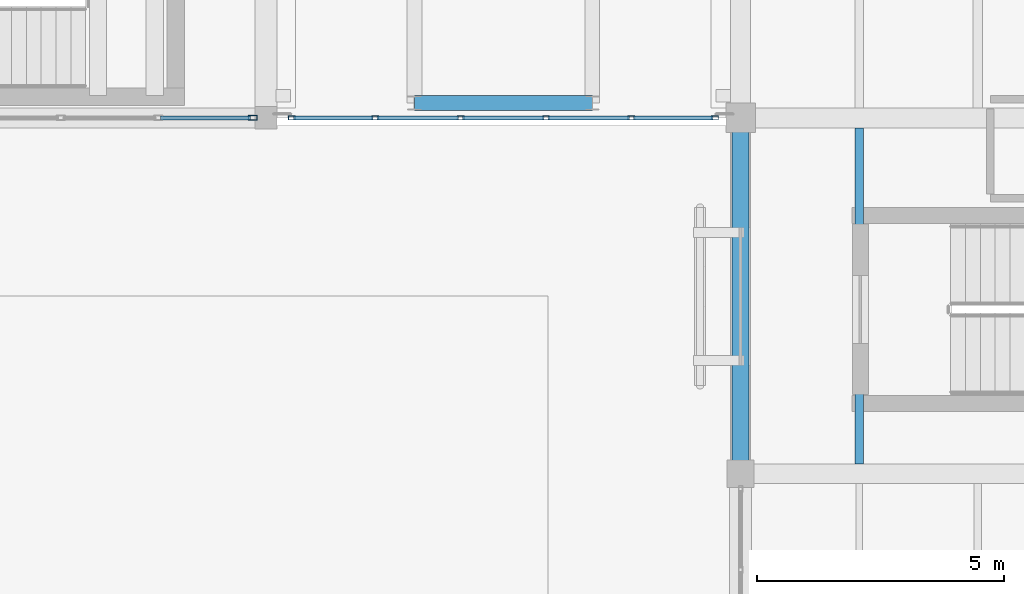
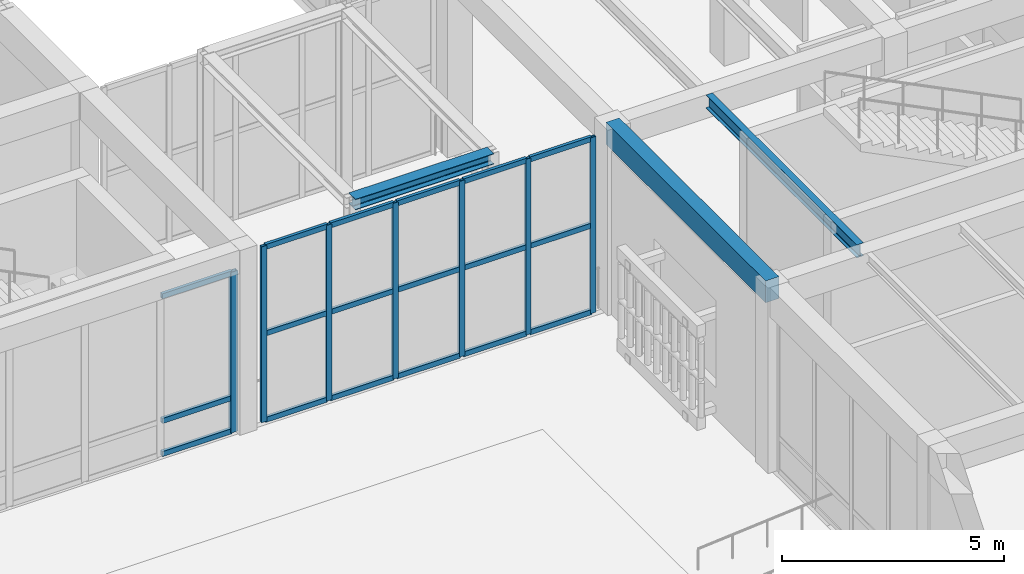
# One storey, part 76 of 169: 25 members, 3 beams, 2 elements without a shape of their own.
"""IFC4 building model written with IfcOpenShell, lengths in metres."""

from ifc_helpers import new_model, si_unit, direction, frame, origin, origin_2d, place, context, subcontext, project, spatial, rectangle, hollow_rectangle, i_section, extrude, material, layer, layer_set, material_profile, profile_set, type_object, element, aggregate, save


model = new_model("IFC4")

# Units and contexts
model_context = context("Model", 3, precision=1e-05, world=origin(), true_north=direction((0.0, 1.0)))
body_context = subcontext(model_context, "Body", "Model", "MODEL_VIEW")
ifc_project = project(units=[si_unit("LENGTHUNIT", "METRE"), si_unit("AREAUNIT", "SQUARE_METRE"), si_unit("VOLUMEUNIT", "CUBIC_METRE"), si_unit("PLANEANGLEUNIT", "RADIAN"), si_unit("MASSUNIT", "GRAM", prefix="KILO")], contexts=[model_context])

# Site, building, storey
site_placement = place(None, origin())
site = spatial("IfcSite", under=ifc_project, at=site_placement, CompositionType="ELEMENT")
building_placement = place(site_placement, origin())
building = spatial("IfcBuilding", under=site, at=building_placement, Name="Mazaris Harbour Polytechnic", CompositionType="ELEMENT")
storey_placement = place(building_placement, origin())
storey = spatial("IfcBuildingStorey", under=building, at=storey_placement, Name="L00", CompositionType="ELEMENT", Elevation=0.0)

# Curtain wall, member
ifc_material_1 = material(Name="Anodised Bronze Aluminium and Low-E Glass", Category="aluminium")
ifc_layer_1 = layer(ifc_material_1, 0.14990234375, Name="Anodised Bronze Aluminium and Low-E Glass")
ifc_layer_set_1 = layer_set([ifc_layer_1], Name="Anodised Bronze Aluminium and Low-E Glass")
curtain_wall_type_1 = type_object("IfcCurtainWallType", Name="Workshop Clerestory Curtain Wall", PredefinedType="NOTDEFINED", material=ifc_layer_set_1)
curtain_wall_1_placement = place(storey_placement, origin())
curtain_wall_1 = element("IfcCurtainWall", 1, at=curtain_wall_1_placement, inside=storey, type_object=curtain_wall_type_1, Name="V1 L00 Curtain Wall 4", PredefinedType="NOTDEFINED")
ifc_material_2 = material(Name="Anodised Bronze Steel S355", Category="steel")
ifc_material_profile_1 = material_profile(ifc_material_2, hollow_rectangle(XDim=0.10009765625, YDim=0.179931640625, WallThickness=0.008056640625, at=origin_2d()), Name="RHS 100x180x8.0")
ifc_profile_set_1 = profile_set([ifc_material_profile_1], Name="Anodised Bronze Steel S355")
member_type_1 = type_object("IfcMemberType", Name="Curtain Mullion RHS100x180", PredefinedType="MULLION", material=ifc_profile_set_1)
member_1_placement = place(storey_placement, frame((112.532958984375, 75.60009765625, 0.0), z_axis=(0.0, 0.0, 1.0), x_axis=(0.0, -1.0, 0.0)))
member_1 = element("IfcMember", 2, at=member_1_placement, type_object=member_type_1, Name="CW-04 mullion 1", PredefinedType="MULLION", context=body_context, shape_type="SweptSolid", body=[
    extrude(hollow_rectangle(XDim=0.10009765625, YDim=0.179931640625, WallThickness=0.008056640625, at=origin_2d()), origin(), (0.0, 0.0, 1.0), 4.419921875),
])

# Curtain wall, members
ifc_material_3 = material(Name="Anodised Bronze Aluminium and Low-E Glass", Category="aluminium")
ifc_layer_2 = layer(ifc_material_3, 0.139892578125, Name="Anodised Bronze Aluminium and Low-E Glass")
ifc_layer_set_2 = layer_set([ifc_layer_2], Name="Anodised Bronze Aluminium and Low-E Glass")
curtain_wall_type_2 = type_object("IfcCurtainWallType", Name="Seismic Link Bridge Glazing", PredefinedType="NOTDEFINED", material=ifc_layer_set_2)
curtain_wall_2_placement = place(storey_placement, origin())
curtain_wall_2 = element("IfcCurtainWall", 3, at=curtain_wall_2_placement, inside=storey, type_object=curtain_wall_type_2, Name="PB-E2 L00 Bridge Glazing", PredefinedType="NOTDEFINED")
ifc_material_4 = material(Name="Anodised Bronze Steel S355", Category="steel")
ifc_material_profile_2 = material_profile(ifc_material_4, hollow_rectangle(XDim=0.080078125, YDim=0.139892578125, WallThickness=0.00634765625, at=origin_2d()), Name="RHS 80x140x6.3")
ifc_profile_set_2 = profile_set([ifc_material_profile_2], Name="Anodised Bronze Steel S355")
member_type_2 = type_object("IfcMemberType", Name="Curtain Mullion RHS80x140", PredefinedType="MULLION", material=ifc_profile_set_2)
member_2_placement = place(storey_placement, frame((113.320068359375, 75.60009765625, 0.0), z_axis=(0.0, 0.0, 1.0), x_axis=(0.0, 1.0, 0.0)))
member_2 = element("IfcMember", 4, at=member_2_placement, type_object=member_type_2, Name="CW-05 mullion 1", PredefinedType="MULLION", context=body_context, shape_type="SweptSolid", body=[
    extrude(hollow_rectangle(XDim=0.080078125, YDim=0.139892578125, WallThickness=0.00634765625, at=origin_2d()), origin(), (0.0, 0.0, 1.0), 4.8349609375),
])
member_3_placement = place(storey_placement, frame((115.008056640625, 75.60009765625, 0.0), z_axis=(0.0, 0.0, 1.0), x_axis=(0.0, 1.0, 0.0)))
member_3 = element("IfcMember", 5, at=member_3_placement, type_object=member_type_2, Name="CW-05 mullion 2", PredefinedType="MULLION", context=body_context, shape_type="SweptSolid", body=[
    extrude(hollow_rectangle(XDim=0.080078125, YDim=0.139892578125, WallThickness=0.00634765625, at=origin_2d()), origin(), (0.0, 0.0, 1.0), 4.8349609375),
])
member_4_placement = place(storey_placement, frame((116.736083984375, 75.60009765625, 0.0), z_axis=(0.0, 0.0, 1.0), x_axis=(0.0, 1.0, 0.0)))
member_4 = element("IfcMember", 6, at=member_4_placement, type_object=member_type_2, Name="CW-05 mullion 3", PredefinedType="MULLION", context=body_context, shape_type="SweptSolid", body=[
    extrude(hollow_rectangle(XDim=0.080078125, YDim=0.139892578125, WallThickness=0.00634765625, at=origin_2d()), origin(), (0.0, 0.0, 1.0), 4.8349609375),
])
member_5_placement = place(storey_placement, frame((118.464111328125, 75.60009765625, 0.0), z_axis=(0.0, 0.0, 1.0), x_axis=(0.0, 1.0, 0.0)))
member_5 = element("IfcMember", 7, at=member_5_placement, type_object=member_type_2, Name="CW-05 mullion 4", PredefinedType="MULLION", context=body_context, shape_type="SweptSolid", body=[
    extrude(hollow_rectangle(XDim=0.080078125, YDim=0.139892578125, WallThickness=0.00634765625, at=origin_2d()), origin(), (0.0, 0.0, 1.0), 4.8349609375),
])
member_6_placement = place(storey_placement, frame((120.19189453125, 75.60009765625, 0.0), z_axis=(0.0, 0.0, 1.0), x_axis=(0.0, 1.0, 0.0)))
member_6 = element("IfcMember", 8, at=member_6_placement, type_object=member_type_2, Name="CW-05 mullion 5", PredefinedType="MULLION", context=body_context, shape_type="SweptSolid", body=[
    extrude(hollow_rectangle(XDim=0.080078125, YDim=0.139892578125, WallThickness=0.00634765625, at=origin_2d()), origin(), (0.0, 0.0, 1.0), 4.8349609375),
])
member_7_placement = place(storey_placement, frame((121.8798828125, 75.60009765625, 0.0), z_axis=(0.0, 0.0, 1.0), x_axis=(0.0, 1.0, 0.0)))
member_7 = element("IfcMember", 9, at=member_7_placement, type_object=member_type_2, Name="CW-05 mullion 6", PredefinedType="MULLION", context=body_context, shape_type="SweptSolid", body=[
    extrude(hollow_rectangle(XDim=0.080078125, YDim=0.139892578125, WallThickness=0.00634765625, at=origin_2d()), origin(), (0.0, 0.0, 1.0), 4.8349609375),
])

# Member
ifc_material_5 = material(Name="Anodised Bronze Steel S355", Category="steel")
ifc_material_profile_3 = material_profile(ifc_material_5, hollow_rectangle(XDim=0.080078125, YDim=0.139892578125, WallThickness=0.00634765625, at=origin_2d()), Name="RHS 80x140x6.3")
ifc_profile_set_3 = profile_set([ifc_material_profile_3], Name="Anodised Bronze Steel S355")
member_type_3 = type_object("IfcMemberType", Name="Curtain Transom RHS80x140", PredefinedType="USERDEFINED", material=ifc_profile_set_3)
member_8_placement = place(storey_placement, frame((112.48291015625, 75.60009765625, 0.0400390625), z_axis=(-1.0, 0.0, 0.0), x_axis=(0.0, -1.0, 0.0)))
member_8 = element("IfcMember", 10, at=member_8_placement, type_object=member_type_3, Name="CW-04 transom 1.1", ObjectType="TRANSOM", PredefinedType="USERDEFINED", context=body_context, shape_type="SweptSolid", body=[
    extrude(hollow_rectangle(XDim=0.080078125, YDim=0.139892578125, WallThickness=0.00634765625, at=origin_2d()), origin(), (0.0, 0.0, 1.0), 1.81640625),
])

member_9_placement = place(storey_placement, frame((112.48291015625, 75.60009765625, 0.949951171875), z_axis=(-1.0, 0.0, 0.0), x_axis=(0.0, -1.0, 0.0)))
member_9 = element("IfcMember", 11, at=member_9_placement, type_object=member_type_3, Name="CW-04 transom 1.2", ObjectType="TRANSOM", PredefinedType="USERDEFINED", context=body_context, shape_type="SweptSolid", body=[
    extrude(hollow_rectangle(XDim=0.080078125, YDim=0.139892578125, WallThickness=0.00634765625, at=origin_2d()), origin(), (0.0, 0.0, 1.0), 1.81640625),
])

member_10_placement = place(storey_placement, frame((112.48291015625, 75.60009765625, 4.3798828125), z_axis=(-1.0, 0.0, 0.0), x_axis=(0.0, -1.0, 0.0)))
member_10 = element("IfcMember", 12, at=member_10_placement, type_object=member_type_3, Name="CW-04 transom 1.3", ObjectType="TRANSOM", PredefinedType="USERDEFINED", context=body_context, shape_type="SweptSolid", body=[
    extrude(hollow_rectangle(XDim=0.080078125, YDim=0.139892578125, WallThickness=0.00634765625, at=origin_2d()), origin(), (0.0, 0.0, 1.0), 1.81640625),
])

aggregate(curtain_wall_1, [member_1, member_8, member_9, member_10])

member_11_placement = place(storey_placement, frame((113.360107421875, 75.60009765625, 0.0400390625), z_axis=(1.0, 0.0, 0.0), x_axis=(0.0, 1.0, 0.0)))
member_11 = element("IfcMember", 13, at=member_11_placement, type_object=member_type_3, Name="CW-05 transom 1.1", ObjectType="TRANSOM", PredefinedType="USERDEFINED", context=body_context, shape_type="SweptSolid", body=[
    extrude(hollow_rectangle(XDim=0.080078125, YDim=0.139892578125, WallThickness=0.00634765625, at=origin_2d()), origin(), (0.0, 0.0, 1.0), 1.60791015625),
])

member_12_placement = place(storey_placement, frame((113.360107421875, 75.60009765625, 2.41748046875), z_axis=(1.0, 0.0, 0.0), x_axis=(0.0, 1.0, 0.0)))
member_12 = element("IfcMember", 14, at=member_12_placement, type_object=member_type_3, Name="CW-05 transom 1.2", ObjectType="TRANSOM", PredefinedType="USERDEFINED", context=body_context, shape_type="SweptSolid", body=[
    extrude(hollow_rectangle(XDim=0.080078125, YDim=0.139892578125, WallThickness=0.00634765625, at=origin_2d()), origin(), (0.0, 0.0, 1.0), 1.60791015625),
])

member_13_placement = place(storey_placement, frame((113.360107421875, 75.60009765625, 4.794921875), z_axis=(1.0, 0.0, 0.0), x_axis=(0.0, 1.0, 0.0)))
member_13 = element("IfcMember", 15, at=member_13_placement, type_object=member_type_3, Name="CW-05 transom 1.3", ObjectType="TRANSOM", PredefinedType="USERDEFINED", context=body_context, shape_type="SweptSolid", body=[
    extrude(hollow_rectangle(XDim=0.080078125, YDim=0.139892578125, WallThickness=0.00634765625, at=origin_2d()), origin(), (0.0, 0.0, 1.0), 1.60791015625),
])

member_14_placement = place(storey_placement, frame((115.048095703125, 75.60009765625, 0.0400390625), z_axis=(1.0, 0.0, 0.0), x_axis=(0.0, 1.0, 0.0)))
member_14 = element("IfcMember", 16, at=member_14_placement, type_object=member_type_3, Name="CW-05 transom 2.1", ObjectType="TRANSOM", PredefinedType="USERDEFINED", context=body_context, shape_type="SweptSolid", body=[
    extrude(hollow_rectangle(XDim=0.080078125, YDim=0.139892578125, WallThickness=0.00634765625, at=origin_2d()), origin(), (0.0, 0.0, 1.0), 1.64794921875),
])

member_15_placement = place(storey_placement, frame((115.048095703125, 75.60009765625, 2.41748046875), z_axis=(1.0, 0.0, 0.0), x_axis=(0.0, 1.0, 0.0)))
member_15 = element("IfcMember", 17, at=member_15_placement, type_object=member_type_3, Name="CW-05 transom 2.2", ObjectType="TRANSOM", PredefinedType="USERDEFINED", context=body_context, shape_type="SweptSolid", body=[
    extrude(hollow_rectangle(XDim=0.080078125, YDim=0.139892578125, WallThickness=0.00634765625, at=origin_2d()), origin(), (0.0, 0.0, 1.0), 1.64794921875),
])

member_16_placement = place(storey_placement, frame((115.048095703125, 75.60009765625, 4.794921875), z_axis=(1.0, 0.0, 0.0), x_axis=(0.0, 1.0, 0.0)))
member_16 = element("IfcMember", 18, at=member_16_placement, type_object=member_type_3, Name="CW-05 transom 2.3", ObjectType="TRANSOM", PredefinedType="USERDEFINED", context=body_context, shape_type="SweptSolid", body=[
    extrude(hollow_rectangle(XDim=0.080078125, YDim=0.139892578125, WallThickness=0.00634765625, at=origin_2d()), origin(), (0.0, 0.0, 1.0), 1.64794921875),
])

member_17_placement = place(storey_placement, frame((116.77587890625, 75.60009765625, 0.0400390625), z_axis=(1.0, 0.0, 0.0), x_axis=(0.0, 1.0, 0.0)))
member_17 = element("IfcMember", 19, at=member_17_placement, type_object=member_type_3, Name="CW-05 transom 3.1", ObjectType="TRANSOM", PredefinedType="USERDEFINED", context=body_context, shape_type="SweptSolid", body=[
    extrude(hollow_rectangle(XDim=0.080078125, YDim=0.139892578125, WallThickness=0.00634765625, at=origin_2d()), origin(), (0.0, 0.0, 1.0), 1.648193359375),
])

member_18_placement = place(storey_placement, frame((116.77587890625, 75.60009765625, 2.41748046875), z_axis=(1.0, 0.0, 0.0), x_axis=(0.0, 1.0, 0.0)))
member_18 = element("IfcMember", 20, at=member_18_placement, type_object=member_type_3, Name="CW-05 transom 3.2", ObjectType="TRANSOM", PredefinedType="USERDEFINED", context=body_context, shape_type="SweptSolid", body=[
    extrude(hollow_rectangle(XDim=0.080078125, YDim=0.139892578125, WallThickness=0.00634765625, at=origin_2d()), origin(), (0.0, 0.0, 1.0), 1.648193359375),
])

member_19_placement = place(storey_placement, frame((116.77587890625, 75.60009765625, 4.794921875), z_axis=(1.0, 0.0, 0.0), x_axis=(0.0, 1.0, 0.0)))
member_19 = element("IfcMember", 21, at=member_19_placement, type_object=member_type_3, Name="CW-05 transom 3.3", ObjectType="TRANSOM", PredefinedType="USERDEFINED", context=body_context, shape_type="SweptSolid", body=[
    extrude(hollow_rectangle(XDim=0.080078125, YDim=0.139892578125, WallThickness=0.00634765625, at=origin_2d()), origin(), (0.0, 0.0, 1.0), 1.648193359375),
])

member_20_placement = place(storey_placement, frame((118.50390625, 75.60009765625, 0.0400390625), z_axis=(1.0, 0.0, 0.0), x_axis=(0.0, 1.0, 0.0)))
member_20 = element("IfcMember", 22, at=member_20_placement, type_object=member_type_3, Name="CW-05 transom 4.1", ObjectType="TRANSOM", PredefinedType="USERDEFINED", context=body_context, shape_type="SweptSolid", body=[
    extrude(hollow_rectangle(XDim=0.080078125, YDim=0.139892578125, WallThickness=0.00634765625, at=origin_2d()), origin(), (0.0, 0.0, 1.0), 1.648193359375),
])

member_21_placement = place(storey_placement, frame((118.50390625, 75.60009765625, 2.41748046875), z_axis=(1.0, 0.0, 0.0), x_axis=(0.0, 1.0, 0.0)))
member_21 = element("IfcMember", 23, at=member_21_placement, type_object=member_type_3, Name="CW-05 transom 4.2", ObjectType="TRANSOM", PredefinedType="USERDEFINED", context=body_context, shape_type="SweptSolid", body=[
    extrude(hollow_rectangle(XDim=0.080078125, YDim=0.139892578125, WallThickness=0.00634765625, at=origin_2d()), origin(), (0.0, 0.0, 1.0), 1.648193359375),
])

member_22_placement = place(storey_placement, frame((118.50390625, 75.60009765625, 4.794921875), z_axis=(1.0, 0.0, 0.0), x_axis=(0.0, 1.0, 0.0)))
member_22 = element("IfcMember", 24, at=member_22_placement, type_object=member_type_3, Name="CW-05 transom 4.3", ObjectType="TRANSOM", PredefinedType="USERDEFINED", context=body_context, shape_type="SweptSolid", body=[
    extrude(hollow_rectangle(XDim=0.080078125, YDim=0.139892578125, WallThickness=0.00634765625, at=origin_2d()), origin(), (0.0, 0.0, 1.0), 1.648193359375),
])

member_23_placement = place(storey_placement, frame((120.23193359375, 75.60009765625, 0.0400390625), z_axis=(1.0, 0.0, 0.0), x_axis=(0.0, 1.0, 0.0)))
member_23 = element("IfcMember", 25, at=member_23_placement, type_object=member_type_3, Name="CW-05 transom 5.1", ObjectType="TRANSOM", PredefinedType="USERDEFINED", context=body_context, shape_type="SweptSolid", body=[
    extrude(hollow_rectangle(XDim=0.080078125, YDim=0.139892578125, WallThickness=0.00634765625, at=origin_2d()), origin(), (0.0, 0.0, 1.0), 1.608154296875),
])

member_24_placement = place(storey_placement, frame((120.23193359375, 75.60009765625, 2.41748046875), z_axis=(1.0, 0.0, 0.0), x_axis=(0.0, 1.0, 0.0)))
member_24 = element("IfcMember", 26, at=member_24_placement, type_object=member_type_3, Name="CW-05 transom 5.2", ObjectType="TRANSOM", PredefinedType="USERDEFINED", context=body_context, shape_type="SweptSolid", body=[
    extrude(hollow_rectangle(XDim=0.080078125, YDim=0.139892578125, WallThickness=0.00634765625, at=origin_2d()), origin(), (0.0, 0.0, 1.0), 1.608154296875),
])

member_25_placement = place(storey_placement, frame((120.23193359375, 75.60009765625, 4.794921875), z_axis=(1.0, 0.0, 0.0), x_axis=(0.0, 1.0, 0.0)))
member_25 = element("IfcMember", 27, at=member_25_placement, type_object=member_type_3, Name="CW-05 transom 5.3", ObjectType="TRANSOM", PredefinedType="USERDEFINED", context=body_context, shape_type="SweptSolid", body=[
    extrude(hollow_rectangle(XDim=0.080078125, YDim=0.139892578125, WallThickness=0.00634765625, at=origin_2d()), origin(), (0.0, 0.0, 1.0), 1.608154296875),
])

aggregate(curtain_wall_2, [member_2, member_3, member_4, member_5, member_6, member_7, member_11, member_12, member_13, member_14, member_15, member_16, member_17, member_18, member_19, member_20, member_21, member_22, member_23, member_24, member_25])

# Beams
ifc_material_6 = material(Name="Concrete C35/45", Category="concrete")
ifc_material_profile_4 = material_profile(ifc_material_6, rectangle(XDim=0.35009765625, YDim=0.60009765625, at=origin_2d()), Name="RECT350x600")
ifc_profile_set_4 = profile_set([ifc_material_profile_4], Name="Concrete C35/45")
beam_type_1 = type_object("IfcBeamType", Name="RC Girder 350x600 Exterior", PredefinedType="BEAM", material=ifc_profile_set_4)
beam_1_placement = place(storey_placement, frame((122.39990234375, 68.39990234375, 4.800048828125), z_axis=(0.0, 1.0, 0.0), x_axis=(-1.0, 0.0, 0.0)))
element("IfcBeam", 28, at=beam_1_placement, inside=storey, type_object=beam_type_1, Name="V5 L00 Tie Girder 2760", PredefinedType="BEAM", context=body_context, shape_type="SweptSolid", body=[
    extrude(rectangle(XDim=0.35009765625, YDim=0.60009765625, at=origin_2d()), origin(), (0.0, 0.0, 1.0), 7.2001953125),
])
ifc_material_7 = material(Name="Steel S355", Category="steel")
ifc_material_profile_5 = material_profile(ifc_material_7, i_section(OverallWidth=0.300048828125, OverallDepth=0.2900390625, WebThickness=0.008544921875, FlangeThickness=0.013916015625, FilletRadius=0.027099609375, at=origin_2d()), Name="HEA 300")
ifc_profile_set_5 = profile_set([ifc_material_profile_5], Name="Steel S355")
beam_type_2 = type_object("IfcBeamType", Name="Steel Beam HEA300 Exterior", PredefinedType="SPANDREL", material=ifc_profile_set_5)
beam_2_placement = place(storey_placement, frame((115.800048828125, 75.89990234375, 4.989990234375), z_axis=(1.0, 0.0, 0.0), x_axis=(0.0, 1.0, 0.0)))
element("IfcBeam", 29, at=beam_2_placement, inside=storey, type_object=beam_type_2, Name="PB-E2 L00 Bridge Beam 3459", PredefinedType="SPANDREL", context=body_context, shape_type="SweptSolid", body=[
    extrude(i_section(OverallWidth=0.300048828125, OverallDepth=0.2900390625, WebThickness=0.008544921875, FlangeThickness=0.013916015625, FilletRadius=0.027099609375, at=origin_2d()), origin(), (0.0, 0.0, 1.0), 3.599853515625),
])
ifc_material_8 = material(Name="Steel S355", Category="steel")
ifc_material_profile_6 = material_profile(ifc_material_8, i_section(OverallWidth=0.169921875, OverallDepth=0.360107421875, WebThickness=0.008056640625, FlangeThickness=0.0126953125, FilletRadius=0.01806640625, at=origin_2d()), Name="IPE 360")
ifc_profile_set_6 = profile_set([ifc_material_profile_6], Name="Steel S355")
beam_type_3 = type_object("IfcBeamType", Name="Steel Joist IPE360", PredefinedType="JOIST", material=ifc_profile_set_6)
beam_3_placement = place(storey_placement, frame((124.800048828125, 68.60009765625, 4.919921875), z_axis=(0.0, 1.0, 0.0), x_axis=(-1.0, 0.0, 0.0)))
element("IfcBeam", 30, at=beam_3_placement, inside=storey, type_object=beam_type_3, Name="V5 L00 Floor Joist 2825", PredefinedType="JOIST", context=body_context, shape_type="SweptSolid", body=[
    extrude(i_section(OverallWidth=0.169921875, OverallDepth=0.360107421875, WebThickness=0.008056640625, FlangeThickness=0.0126953125, FilletRadius=0.01806640625, at=origin_2d()), origin(), (0.0, 0.0, 1.0), 6.7998046875),
])

save(model, "model.ifc")
